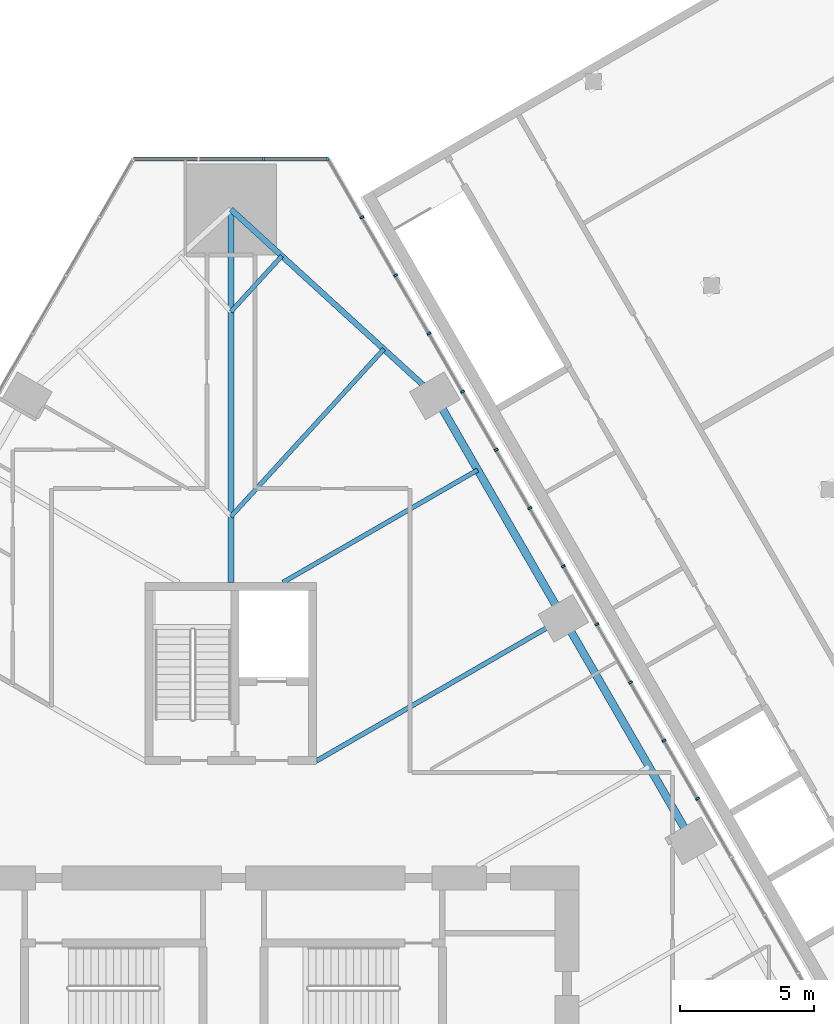
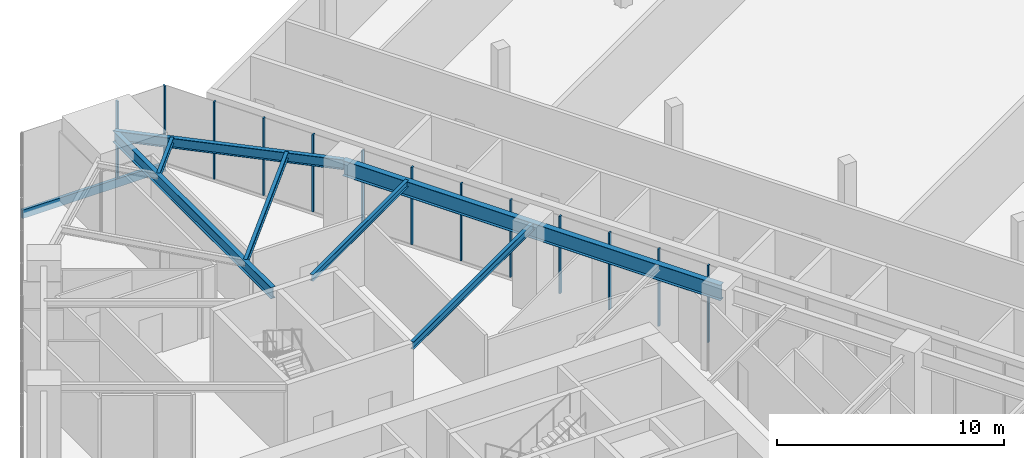
# One storey, part 11 of 23: 14 members, 7 beams, 2 elements without a shape of their own.
"""IFC4 building model written with IfcOpenShell, lengths in metres."""

from ifc_helpers import new_model, si_unit, direction, frame, origin, origin_2d, place, context, subcontext, project, spatial, rectangle, i_section, extrude, material, layer, layer_set, material_profile, profile_set, type_object, element, aggregate, save


model = new_model("IFC4")

# Units and contexts
model_context = context("Model", 3, precision=1e-05, world=origin(), true_north=direction((0.0, 1.0)))
body_context = subcontext(model_context, "Body", "Model", "MODEL_VIEW")
ifc_project = project(units=[si_unit("LENGTHUNIT", "METRE"), si_unit("AREAUNIT", "SQUARE_METRE"), si_unit("VOLUMEUNIT", "CUBIC_METRE"), si_unit("PLANEANGLEUNIT", "RADIAN"), si_unit("MASSUNIT", "GRAM", prefix="KILO")], contexts=[model_context])

# Site, building, storey
site_placement = place(None, origin())
site = spatial("IfcSite", under=ifc_project, at=site_placement, CompositionType="ELEMENT")
building_placement = place(site_placement, origin())
building = spatial("IfcBuilding", under=site, at=building_placement, Name="Firuza Gate Tower and Library", CompositionType="ELEMENT")
storey_placement = place(building_placement, frame((0.0, 0.0, 21.800048828125)))
storey = spatial("IfcBuildingStorey", under=building, at=storey_placement, Name="L04", CompositionType="ELEMENT", Elevation=21.800048828125)

# Curtain wall, members
ifc_material_1 = material(Name="Aluminium 6063-T6", Category="aluminium")
ifc_layer = layer(ifc_material_1, 0.14990234375)
ifc_layer_set = layer_set([ifc_layer], Name="Stick curtain wall, podium")
curtain_wall_type = type_object("IfcCurtainWallType", Name="Stick curtain wall, podium", PredefinedType="NOTDEFINED", material=ifc_layer_set)
placement = place(storey_placement, origin())
curtain_wall_1 = element("IfcCurtainWall", 1, at=placement, inside=storey, type_object=curtain_wall_type, Name="CW5 L04 E", PredefinedType="NOTDEFINED")
ifc_material_2 = material(Name="Aluminium 6063-T6", Category="aluminium")
ifc_material_profile_1 = material_profile(ifc_material_2, rectangle(XDim=0.14990234375, YDim=0.080078125, at=origin_2d()))
ifc_profile_set_1 = profile_set([ifc_material_profile_1], Name="Aluminium 6063-T6")
member_type_1 = type_object("IfcMemberType", Name="Curtain wall mullion 80x150", PredefinedType="MULLION", material=ifc_profile_set_1)
member_1_placement = place(storey_placement, frame((92.43798828125, 86.515869140625, 0.14990234375), z_axis=(0.0, 0.0, 1.0), x_axis=(-0.866025403784, -0.5, 0.0)))
member_1 = element("IfcMember", 2, at=member_1_placement, type_object=member_type_1, Name="Mullion", PredefinedType="MULLION", context=body_context, shape_type="SweptSolid", body=[
    extrude(rectangle(XDim=0.14990234375, YDim=0.080078125, at=origin_2d()), origin(), (0.0, 0.0, 1.0), 4.150146484375),
])
member_2_placement = place(storey_placement, frame((91.183837890625, 88.68798828125, 0.14990234375), z_axis=(0.0, 0.0, 1.0), x_axis=(-0.866025403784, -0.5, 0.0)))
member_2 = element("IfcMember", 3, at=member_2_placement, type_object=member_type_1, Name="Mullion", PredefinedType="MULLION", context=body_context, shape_type="SweptSolid", body=[
    extrude(rectangle(XDim=0.14990234375, YDim=0.080078125, at=origin_2d()), origin(), (0.0, 0.0, 1.0), 4.150146484375),
])
member_3_placement = place(storey_placement, frame((89.929931640625, 90.860107421875, 0.14990234375), z_axis=(0.0, 0.0, 1.0), x_axis=(-0.866025403784, -0.5, 0.0)))
member_3 = element("IfcMember", 4, at=member_3_placement, type_object=member_type_1, Name="Mullion", PredefinedType="MULLION", context=body_context, shape_type="SweptSolid", body=[
    extrude(rectangle(XDim=0.14990234375, YDim=0.080078125, at=origin_2d()), origin(), (0.0, 0.0, 1.0), 4.150146484375),
])
member_4_placement = place(storey_placement, frame((88.67578125, 93.0322265625, 0.14990234375), z_axis=(0.0, 0.0, 1.0), x_axis=(-0.866025403784, -0.5, 0.0)))
member_4 = element("IfcMember", 5, at=member_4_placement, type_object=member_type_1, Name="Mullion", PredefinedType="MULLION", context=body_context, shape_type="SweptSolid", body=[
    extrude(rectangle(XDim=0.14990234375, YDim=0.080078125, at=origin_2d()), origin(), (0.0, 0.0, 1.0), 4.150146484375),
])
member_5_placement = place(storey_placement, frame((87.421630859375, 95.2041015625, 0.14990234375), z_axis=(0.0, 0.0, 1.0), x_axis=(-0.866025403784, -0.5, 0.0)))
member_5 = element("IfcMember", 6, at=member_5_placement, type_object=member_type_1, Name="Mullion", PredefinedType="MULLION", context=body_context, shape_type="SweptSolid", body=[
    extrude(rectangle(XDim=0.14990234375, YDim=0.080078125, at=origin_2d()), origin(), (0.0, 0.0, 1.0), 4.150146484375),
])
member_6_placement = place(storey_placement, frame((86.167724609375, 97.376220703125, 0.14990234375), z_axis=(0.0, 0.0, 1.0), x_axis=(-0.866025403784, -0.5, 0.0)))
member_6 = element("IfcMember", 7, at=member_6_placement, type_object=member_type_1, Name="Mullion", PredefinedType="MULLION", context=body_context, shape_type="SweptSolid", body=[
    extrude(rectangle(XDim=0.14990234375, YDim=0.080078125, at=origin_2d()), origin(), (0.0, 0.0, 1.0), 4.150146484375),
])
member_7_placement = place(storey_placement, frame((84.91357421875, 99.54833984375, 0.14990234375), z_axis=(0.0, 0.0, 1.0), x_axis=(-0.866025403784, -0.5, 0.0)))
member_7 = element("IfcMember", 8, at=member_7_placement, type_object=member_type_1, Name="Mullion", PredefinedType="MULLION", context=body_context, shape_type="SweptSolid", body=[
    extrude(rectangle(XDim=0.14990234375, YDim=0.080078125, at=origin_2d()), origin(), (0.0, 0.0, 1.0), 4.150146484375),
])
member_8_placement = place(storey_placement, frame((83.659423828125, 101.720458984375, 0.14990234375), z_axis=(0.0, 0.0, 1.0), x_axis=(-0.866025403784, -0.5, 0.0)))
member_8 = element("IfcMember", 9, at=member_8_placement, type_object=member_type_1, Name="Mullion", PredefinedType="MULLION", context=body_context, shape_type="SweptSolid", body=[
    extrude(rectangle(XDim=0.14990234375, YDim=0.080078125, at=origin_2d()), origin(), (0.0, 0.0, 1.0), 4.150146484375),
])
member_9_placement = place(storey_placement, frame((82.405517578125, 103.892578125, 0.14990234375), z_axis=(0.0, 0.0, 1.0), x_axis=(-0.866025403784, -0.5, 0.0)))
member_9 = element("IfcMember", 10, at=member_9_placement, type_object=member_type_1, Name="Mullion", PredefinedType="MULLION", context=body_context, shape_type="SweptSolid", body=[
    extrude(rectangle(XDim=0.14990234375, YDim=0.080078125, at=origin_2d()), origin(), (0.0, 0.0, 1.0), 4.150146484375),
])
member_10_placement = place(storey_placement, frame((81.1513671875, 106.064697265625, 0.14990234375), z_axis=(0.0, 0.0, 1.0), x_axis=(-0.866025403784, -0.5, 0.0)))
member_10 = element("IfcMember", 11, at=member_10_placement, type_object=member_type_1, Name="Mullion", PredefinedType="MULLION", context=body_context, shape_type="SweptSolid", body=[
    extrude(rectangle(XDim=0.14990234375, YDim=0.080078125, at=origin_2d()), origin(), (0.0, 0.0, 1.0), 4.150146484375),
])
member_11_placement = place(storey_placement, frame((79.8974609375, 108.23681640625, 0.14990234375), z_axis=(0.0, 0.0, 1.0), x_axis=(-0.866025403784, -0.5, 0.0)))
member_11 = element("IfcMember", 12, at=member_11_placement, type_object=member_type_1, Name="Mullion", PredefinedType="MULLION", context=body_context, shape_type="SweptSolid", body=[
    extrude(rectangle(XDim=0.14990234375, YDim=0.080078125, at=origin_2d()), origin(), (0.0, 0.0, 1.0), 4.150146484375),
])
aggregate(curtain_wall_1, [member_1, member_2, member_3, member_4, member_5, member_6, member_7, member_8, member_9, member_10, member_11])

curtain_wall_2 = element("IfcCurtainWall", 13, at=placement, inside=storey, type_object=curtain_wall_type, Name="CW5 L04 N", PredefinedType="NOTDEFINED")
member_12_placement = place(storey_placement, frame((78.603271484375, 110.408935546875, 0.14990234375), z_axis=(0.0, 0.0, 1.0), x_axis=(0.0, -1.0, 0.0)))
member_12 = element("IfcMember", 14, at=member_12_placement, type_object=member_type_1, Name="Mullion", PredefinedType="MULLION", context=body_context, shape_type="SweptSolid", body=[
    extrude(rectangle(XDim=0.14990234375, YDim=0.080078125, at=origin_2d()), origin(), (0.0, 0.0, 1.0), 4.150146484375),
])
member_13_placement = place(storey_placement, frame((76.21435546875, 110.408935546875, 0.14990234375), z_axis=(0.0, 0.0, 1.0), x_axis=(0.0, -1.0, 0.0)))
member_13 = element("IfcMember", 15, at=member_13_placement, type_object=member_type_1, Name="Mullion", PredefinedType="MULLION", context=body_context, shape_type="SweptSolid", body=[
    extrude(rectangle(XDim=0.14990234375, YDim=0.080078125, at=origin_2d()), origin(), (0.0, 0.0, 1.0), 4.150146484375),
])
ifc_material_3 = material(Name="Aluminium 6063-T6", Category="aluminium")
ifc_material_profile_2 = material_profile(ifc_material_3, rectangle(XDim=0.14990234375, YDim=0.449951171875, at=origin_2d()))
ifc_profile_set_2 = profile_set([ifc_material_profile_2], Name="Aluminium 6063-T6")
member_type_2 = type_object("IfcMemberType", Name="Curtain wall transom 450x150", PredefinedType="USERDEFINED", material=ifc_profile_set_2)
member_14_placement = place(storey_placement, frame((78.643310546875, 110.408935546875, -0.074951171875), z_axis=(-1.0, 0.0, 0.0), x_axis=(0.0, -1.0, 0.0)))
member_14 = element("IfcMember", 16, at=member_14_placement, type_object=member_type_2, Name="Transom", ObjectType="TRANSOM", PredefinedType="USERDEFINED", context=body_context, shape_type="SweptSolid", body=[
    extrude(rectangle(XDim=0.14990234375, YDim=0.449951171875, at=origin_2d()), origin(), (0.0, 0.0, 1.0), 7.28662109375),
])
aggregate(curtain_wall_2, [member_12, member_13, member_14])

# Beams
ifc_material_4 = material(Name="Steel S355", Category="steel")
ifc_material_profile_3 = material_profile(ifc_material_4, i_section(OverallWidth=0.1650390625, OverallDepth=0.31005859375, WebThickness=0.005859375, FlangeThickness=0.009765625, at=origin_2d()))
ifc_profile_set_3 = profile_set([ifc_material_profile_3], Name="Steel S355")
beam_type_1 = type_object("IfcBeamType", Name="W310x39 Floor beam", PredefinedType="JOIST", material=ifc_profile_set_3)
beam_1_placement = place(storey_placement, frame((76.905029296875, 106.79296875, 4.14501953125), z_axis=(-0.674533736892, -0.738244023203, 0.0), x_axis=(0.738244023203, -0.674533736892, 0.0)))
element("IfcBeam", 17, at=beam_1_placement, inside=storey, type_object=beam_type_1, Name="Floor beam L04 s81", PredefinedType="JOIST", context=body_context, shape_type="SweptSolid", body=[
    extrude(i_section(OverallWidth=0.1650390625, OverallDepth=0.31005859375, WebThickness=0.005859375, FlangeThickness=0.009765625, at=origin_2d()), origin(), (0.0, 0.0, 1.0), 2.82421875),
])
ifc_material_5 = material(Name="Steel S355", Category="steel")
ifc_material_profile_4 = material_profile(ifc_material_5, i_section(OverallWidth=0.1708984375, OverallDepth=0.35498046875, WebThickness=0.007080078125, FlangeThickness=0.01171875, at=origin_2d()))
ifc_profile_set_4 = profile_set([ifc_material_profile_4], Name="Steel S355")
beam_type_2 = type_object("IfcBeamType", Name="W360x51 Floor beam", PredefinedType="JOIST", material=ifc_profile_set_4)
beam_2_placement = place(storey_placement, frame((84.220458984375, 98.798828125, 4.12255859375), z_axis=(-0.866019517829, -0.500010194636, 0.0), x_axis=(0.500010194636, -0.866019517829, 0.0)))
element("IfcBeam", 18, at=beam_2_placement, inside=storey, type_object=beam_type_2, Name="Floor beam L04 s75", PredefinedType="JOIST", context=body_context, shape_type="SweptSolid", body=[
    extrude(i_section(OverallWidth=0.1708984375, OverallDepth=0.35498046875, WebThickness=0.007080078125, FlangeThickness=0.01171875, at=origin_2d()), origin(), (0.0, 0.0, 1.0), 8.397216796875),
])
beam_3_placement = place(storey_placement, frame((80.71533203125, 103.31103515625, 4.12255859375), z_axis=(-0.674578139258, -0.7382034503, 0.0), x_axis=(0.7382034503, -0.674578139258, 0.0)))
element("IfcBeam", 19, at=beam_3_placement, inside=storey, type_object=beam_type_2, Name="Floor beam L04 s80", PredefinedType="JOIST", context=body_context, shape_type="SweptSolid", body=[
    extrude(i_section(OverallWidth=0.1708984375, OverallDepth=0.35498046875, WebThickness=0.007080078125, FlangeThickness=0.01171875, at=origin_2d()), origin(), (0.0, 0.0, 1.0), 8.472412109375),
])
ifc_material_6 = material(Name="Steel S355", Category="steel")
ifc_material_profile_5 = material_profile(ifc_material_6, i_section(OverallWidth=0.177978515625, OverallDepth=0.406982421875, WebThickness=0.0078125, FlangeThickness=0.0126953125, at=origin_2d()))
ifc_profile_set_5 = profile_set([ifc_material_profile_5], Name="Steel S355")
beam_type_3 = type_object("IfcBeamType", Name="W410x60 Floor beam", PredefinedType="JOIST", material=ifc_profile_set_5)
beam_4_placement = place(storey_placement, frame((87.420654296875, 93.256103515625, 4.096435546875), z_axis=(-0.866029027547, -0.499993723407, 0.0), x_axis=(0.499993723407, -0.866029027547, 0.0)))
element("IfcBeam", 20, at=beam_4_placement, inside=storey, type_object=beam_type_3, Name="Floor beam L04 s74", PredefinedType="JOIST", context=body_context, shape_type="SweptSolid", body=[
    extrude(i_section(OverallWidth=0.177978515625, OverallDepth=0.406982421875, WebThickness=0.0078125, FlangeThickness=0.0126953125, at=origin_2d()), origin(), (0.0, 0.0, 1.0), 10.647216796875),
])
ifc_material_7 = material(Name="Steel S355", Category="steel")
ifc_material_profile_6 = material_profile(ifc_material_7, i_section(OverallWidth=0.212890625, OverallDepth=0.5390625, WebThickness=0.01171875, FlangeThickness=0.018798828125, at=origin_2d()))
ifc_profile_set_6 = profile_set([ifc_material_profile_6], Name="Steel S355")
beam_type_4 = type_object("IfcBeamType", Name="W530x109 Edge beam", PredefinedType="SPANDREL", material=ifc_profile_set_6)
beam_5_placement = place(storey_placement, frame((82.62060546875, 101.570068359375, 4.030517578125), z_axis=(-0.738199730284, 0.674582210118, 0.0), x_axis=(-0.674582210118, -0.738199730284, 0.0)))
element("IfcBeam", 21, at=beam_5_placement, inside=storey, type_object=beam_type_4, Name="Edge beam L04 e80", PredefinedType="SPANDREL", context=body_context, shape_type="SweptSolid", body=[
    extrude(i_section(OverallWidth=0.212890625, OverallDepth=0.5390625, WebThickness=0.01171875, FlangeThickness=0.018798828125, at=origin_2d()), origin(), (0.0, 0.0, 1.0), 10.3232421875),
])
ifc_material_8 = material(Name="Steel S355", Category="steel")
ifc_material_profile_7 = material_profile(ifc_material_8, i_section(OverallWidth=0.22802734375, OverallDepth=0.60302734375, WebThickness=0.010498046875, FlangeThickness=0.014892578125, at=origin_2d()))
ifc_profile_set_7 = profile_set([ifc_material_profile_7], Name="Steel S355")
beam_type_5 = type_object("IfcBeamType", Name="W610x101 Girder", PredefinedType="BEAM", material=ifc_profile_set_7)
beam_6_placement = place(storey_placement, frame((75.0, 108.533935546875, 3.99853515625), z_axis=(0.0, -1.0, 0.0), x_axis=(1.0, 0.0, 0.0)))
element("IfcBeam", 22, at=beam_6_placement, inside=storey, type_object=beam_type_5, Name="Girder L04 gN", PredefinedType="BEAM", context=body_context, shape_type="SweptSolid", body=[
    extrude(i_section(OverallWidth=0.22802734375, OverallDepth=0.60302734375, WebThickness=0.010498046875, FlangeThickness=0.014892578125, at=origin_2d()), origin(), (0.0, 0.0, 1.0), 13.933837890625),
])
ifc_material_9 = material(Name="Steel S355", Category="steel")
ifc_material_profile_8 = material_profile(ifc_material_9, i_section(OverallWidth=0.2919921875, OverallDepth=0.8349609375, WebThickness=0.013916015625, FlangeThickness=0.018798828125, at=origin_2d()))
ifc_profile_set_8 = profile_set([ifc_material_profile_8], Name="Steel S355")
beam_type_6 = type_object("IfcBeamType", Name="W840x176 Edge beam", PredefinedType="SPANDREL", material=ifc_profile_set_8)
beam_7_placement = place(storey_placement, frame((92.220458984375, 84.9423828125, 3.882568359375), z_axis=(-0.499994327668, 0.866028678682, 0.0), x_axis=(-0.866028678682, -0.499994327668, 0.0)))
element("IfcBeam", 23, at=beam_7_placement, inside=storey, type_object=beam_type_6, Name="Edge beam L04 e72", PredefinedType="SPANDREL", context=body_context, shape_type="SweptSolid", body=[
    extrude(i_section(OverallWidth=0.2919921875, OverallDepth=0.8349609375, WebThickness=0.013916015625, FlangeThickness=0.018798828125, at=origin_2d()), origin(), (0.0, 0.0, 1.0), 19.199951171875),
])

save(model, "model.ifc")
